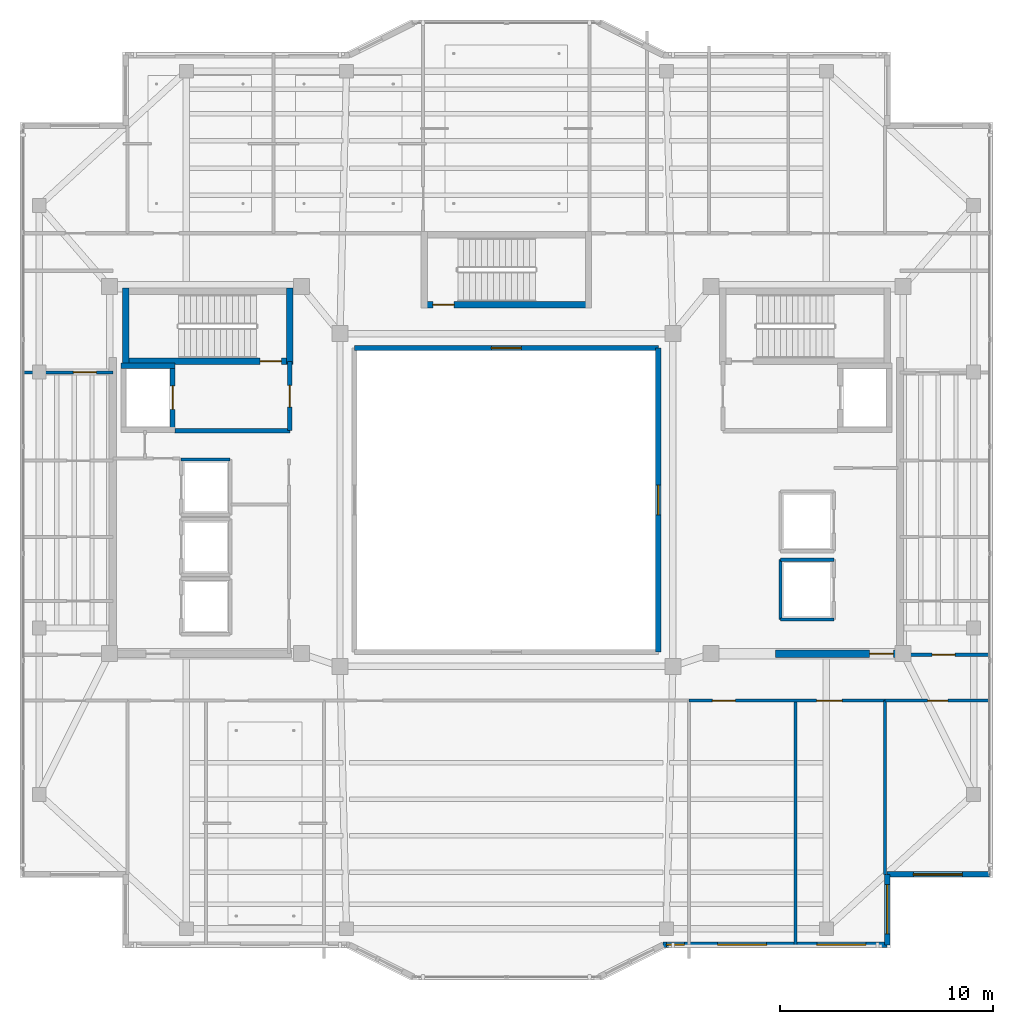
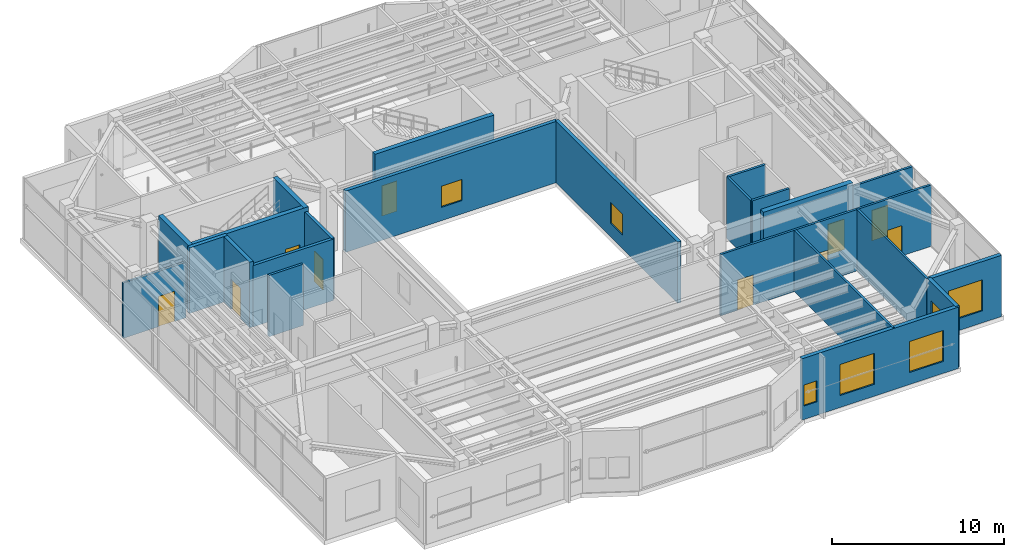
# One storey, part 15 of 25: 24 walls, 10 doors, 7 windows, 17 openings.
"""IFC4 building model written with IfcOpenShell, lengths in metres."""

from ifc_helpers import new_model, si_unit, direction, frame, frame_2d, origin, place, context, subcontext, project, spatial, rectangle, extrude, material, layer, layer_set, type_object, element, fill, save


model = new_model("IFC4")

# Units and contexts
model_context = context("Model", 3, precision=1e-05, world=origin(), true_north=direction((0.0, 1.0)))
body_context = subcontext(model_context, "Body", "Model", "MODEL_VIEW")
ifc_project = project(units=[si_unit("LENGTHUNIT", "METRE"), si_unit("AREAUNIT", "SQUARE_METRE"), si_unit("VOLUMEUNIT", "CUBIC_METRE"), si_unit("PLANEANGLEUNIT", "RADIAN"), si_unit("MASSUNIT", "GRAM", prefix="KILO")], contexts=[model_context])

# Site, building, storey
site_placement = place(None, origin())
site = spatial("IfcSite", under=ifc_project, at=site_placement, CompositionType="ELEMENT")
building_placement = place(site_placement, origin())
building = spatial("IfcBuilding", under=site, at=building_placement, Name="Tarnavaz Court Tower", CompositionType="ELEMENT")
storey_placement = place(building_placement, frame((0.0, 0.0, 271.64990234375)))
storey = spatial("IfcBuildingStorey", under=building, at=storey_placement, Name="L74", CompositionType="ELEMENT", Elevation=271.64990234375)

# Wall, opening, door
ifc_material_1 = material(Name="Concrete C50/60", Category="concrete")
ifc_layer_1 = layer(ifc_material_1, 0.25)
ifc_layer_set_1 = layer_set([ifc_layer_1], Name="Concrete C50/60")
wall_type_1 = type_object("IfcWallType", Name="WL-CORE-250-C50", PredefinedType="SHEAR", material=ifc_layer_set_1)
wall_1_placement = place(storey_placement, frame((-15.64990234375, 3.175048828125, 0.0), z_axis=(0.0, 0.0, 1.0), x_axis=(0.0, 1.0, 0.0)))
wall_1 = element("IfcWall", 1, at=wall_1_placement, inside=storey, type_object=wall_type_1, Name="L74 Lift FL-W1 Shaft Wall 018", PredefinedType="SHEAR", context=body_context, shape_type="SweptSolid", body=[
    extrude(rectangle(XDim=3.25, YDim=0.25, at=frame_2d((1.625, 0.0))), origin(), (0.0, 0.0, 1.0), 4.650146484375),
])
opening_1_placement = place(wall_1_placement, frame((1.074951171875, 0.0, 0.0)))
opening_1 = element("IfcOpeningElement", 2, at=opening_1_placement, cuts=wall_1, Name="Opening LD1", PredefinedType="OPENING", context=body_context, shape_type="SweptSolid", body=[
    extrude(rectangle(XDim=1.10009765625, YDim=2.14990234375, at=frame_2d((0.550048828125, 1.074951171875))), frame((0.0, 0.135009765625, 0.0), z_axis=(0.0, -1.0, 0.0), x_axis=(1.0, 0.0, 0.0)), (0.0, 0.0, 1.0), 0.27001953125),
])
ifc_material_2 = material(Name="Stainless Steel", Category="steel")
door_type_1 = type_object("IfcDoorType", Name="DR-LD-1100", OperationType="NOTDEFINED", PredefinedType="DOOR", material=ifc_material_2)
door_1_placement = place(opening_1_placement, origin())
door_1 = element("IfcDoor", 3, at=door_1_placement, inside=storey, type_object=door_type_1, Name="L74 Lift Landing Door LD-FL-W1", OperationType="SLIDING_TO_LEFT", OverallHeight=2.14990234375, OverallWidth=1.10009765625, PredefinedType="DOOR", context=body_context, shape_type="SweptSolid", body=[
    extrude(rectangle(XDim=1.10009765625, YDim=2.14990234375, at=frame_2d((0.550048828125, 1.074951171875))), frame((0.0, 0.02490234375, 0.0), z_axis=(0.0, -1.0, 0.0), x_axis=(1.0, 0.0, 0.0)), (0.0, 0.0, 1.0), 0.050048828125),
])
fill(opening_1, door_1)

# Wall
wall_2_placement = place(storey_placement, frame((-18.074951171875, 6.300048828125, 0.0), z_axis=(0.0, 0.0, 1.0), x_axis=(1.0, 0.0, 0.0)))
element("IfcWall", 4, at=wall_2_placement, inside=storey, type_object=wall_type_1, Name="L74 Lift FL-W1 Shaft Wall 020", PredefinedType="SHEAR", context=body_context, shape_type="SweptSolid", body=[
    extrude(rectangle(XDim=2.550048828125, YDim=0.25, at=frame_2d((1.27490234375, 0.0))), origin(), (0.0, 0.0, 1.0), 4.650146484375),
])

# Wall, opening, door
ifc_layer_2 = layer(ifc_material_1, 0.300048828125)
ifc_layer_set_2 = layer_set([ifc_layer_2], Name="Concrete C50/60")
wall_type_2 = type_object("IfcWallType", Name="WL-CORE-300-C50", PredefinedType="SHEAR", material=ifc_layer_set_2)
wall_3_placement = place(storey_placement, frame((-18.0, 6.5, 0.0), z_axis=(0.0, 0.0, 1.0), x_axis=(1.0, 0.0, 0.0)))
wall_3 = element("IfcWall", 5, at=wall_3_placement, inside=storey, type_object=wall_type_2, Name="L74 West Stair Core Wall 002", PredefinedType="SHEAR", context=body_context, shape_type="SweptSolid", body=[
    extrude(rectangle(XDim=8.0, YDim=0.300048828125, at=frame_2d((4.0, 0.0))), origin(), (0.0, 0.0, 1.0), 4.650146484375),
])
opening_2_placement = place(wall_3_placement, frame((6.449951171875, 0.0, 0.0)))
opening_2 = element("IfcOpeningElement", 6, at=opening_2_placement, cuts=wall_3, Name="Opening D01", PredefinedType="OPENING", context=body_context, shape_type="SweptSolid", body=[
    extrude(rectangle(XDim=1.0, YDim=2.14990234375, at=frame_2d((0.5, 1.074951171875))), frame((0.0, 0.159912109375, 0.0), z_axis=(0.0, -1.0, 0.0), x_axis=(1.0, 0.0, 0.0)), (0.0, 0.0, 1.0), 0.320068359375),
])
ifc_material_3 = material(Name="Fire-Rated Hardwood Timber Core", Category="wood")
door_type_2 = type_object("IfcDoorType", Name="DR-FD90-1000", OperationType="NOTDEFINED", PredefinedType="DOOR", material=ifc_material_3)
door_2_placement = place(opening_2_placement, origin())
door_2 = element("IfcDoor", 7, at=door_2_placement, inside=storey, type_object=door_type_2, Name="L74 Stair ST-W1 Exit Door", OperationType="SINGLE_SWING_LEFT", OverallHeight=2.14990234375, OverallWidth=1.0, PredefinedType="DOOR", context=body_context, shape_type="SweptSolid", body=[
    extrude(rectangle(XDim=1.0, YDim=2.14990234375, at=frame_2d((0.5, 1.074951171875))), frame((0.0, 0.02490234375, 0.0), z_axis=(0.0, -1.0, 0.0), x_axis=(1.0, 0.0, 0.0)), (0.0, 0.0, 1.0), 0.050048828125),
])
fill(opening_2, door_2)

# Walls
for number, where, z_axis, x_axis, name in (
    (8, (-17.85009765625, 6.35009765625, 0.0), (0.0, 0.0, 1.0), (0.0, 1.0, 0.0), "L74 West Stair Core Wall 003"),
    (9, (-10.14990234375, 6.35009765625, 0.0), (0.0, 0.0, 1.0), (0.0, 1.0, 0.0), "L74 West Stair Core Wall 004"),
):
    element("IfcWall", number, at=place(storey_placement, frame(where, z_axis=z_axis, x_axis=x_axis)), inside=storey, type_object=wall_type_2, Name=name, PredefinedType="SHEAR", context=body_context, shape_type="SweptSolid", body=[
        extrude(rectangle(XDim=3.58984375, YDim=0.300048828125, at=frame_2d((1.794921875, 0.0))), origin(), (0.0, 0.0, 1.0), 4.650146484375),
    ])

# Wall, opening, door
wall_4_placement = place(storey_placement, frame((-4.0, 9.14990234375, 0.0), z_axis=(0.0, 0.0, 1.0), x_axis=(1.0, 0.0, 0.0)))
wall_4 = element("IfcWall", 10, at=wall_4_placement, inside=storey, type_object=wall_type_2, Name="L74 North Stair Core Wall 010", PredefinedType="SHEAR", context=body_context, shape_type="SweptSolid", body=[
    extrude(rectangle(XDim=8.0, YDim=0.300048828125, at=frame_2d((4.0, 0.0))), origin(), (0.0, 0.0, 1.0), 4.650146484375),
])
opening_3_placement = place(wall_4_placement, frame((0.550048828125, 0.0, 0.0)))
opening_3 = element("IfcOpeningElement", 11, at=opening_3_placement, cuts=wall_4, Name="Opening D01", PredefinedType="OPENING", context=body_context, shape_type="SweptSolid", body=[
    extrude(rectangle(XDim=1.0, YDim=2.14990234375, at=frame_2d((0.5, 1.074951171875))), frame((0.0, 0.159912109375, 0.0), z_axis=(0.0, -1.0, 0.0), x_axis=(1.0, 0.0, 0.0)), (0.0, 0.0, 1.0), 0.320068359375),
])
door_3_placement = place(opening_3_placement, origin())
door_3 = element("IfcDoor", 12, at=door_3_placement, inside=storey, type_object=door_type_2, Name="L74 Stair ST-N1 Exit Door", OperationType="SINGLE_SWING_LEFT", OverallHeight=2.14990234375, OverallWidth=1.0, PredefinedType="DOOR", context=body_context, shape_type="SweptSolid", body=[
    extrude(rectangle(XDim=1.0, YDim=2.14990234375, at=frame_2d((0.5, 1.074951171875))), frame((0.0, 0.02490234375, 0.0), z_axis=(0.0, -1.0, 0.0), x_axis=(1.0, 0.0, 0.0)), (0.0, 0.0, 1.0), 0.050048828125),
])
fill(opening_3, door_3)

ifc_layer_3 = layer(ifc_material_1, 0.35009765625)
ifc_layer_set_3 = layer_set([ifc_layer_3], Name="Concrete C50/60")
wall_type_3 = type_object("IfcWallType", Name="WL-CORE-350-C50", PredefinedType="SHEAR", material=ifc_layer_set_3)
wall_5_placement = place(storey_placement, frame((12.625, -7.199951171875, 0.0), z_axis=(0.0, 0.0, 1.0), x_axis=(1.0, 0.0, 0.0)))
wall_5 = element("IfcWall", 13, at=wall_5_placement, inside=storey, type_object=wall_type_3, Name="L74 East Core South Shear Wall 048", PredefinedType="SHEAR", context=body_context, shape_type="SweptSolid", body=[
    extrude(rectangle(XDim=6.0, YDim=0.35009765625, at=frame_2d((3.0, 0.0))), origin(), (0.0, 0.0, 1.0), 4.650146484375),
])
opening_4_placement = place(wall_5_placement, frame((4.39990234375, 0.0, 0.0)))
opening_4 = element("IfcOpeningElement", 14, at=opening_4_placement, cuts=wall_5, Name="Opening D04", PredefinedType="OPENING", context=body_context, shape_type="SweptSolid", body=[
    extrude(rectangle(XDim=1.1201171875, YDim=2.14990234375, at=frame_2d((0.56005859375, 1.074951171875))), frame((0.0, 0.18505859375, 0.0), z_axis=(0.0, -1.0, 0.0), x_axis=(1.0, 0.0, 0.0)), (0.0, 0.0, 1.0), 0.3701171875),
])
door_type_3 = type_object("IfcDoorType", Name="DR-FD60-1100", OperationType="NOTDEFINED", PredefinedType="DOOR", material=ifc_material_3)
door_4_placement = place(opening_4_placement, origin())
door_4 = element("IfcDoor", 15, at=door_4_placement, inside=storey, type_object=door_type_3, Name="L74 East Express Lift Lobby Door", OperationType="SINGLE_SWING_RIGHT", OverallHeight=2.14990234375, OverallWidth=1.1201171875, PredefinedType="DOOR", context=body_context, shape_type="SweptSolid", body=[
    extrude(rectangle(XDim=1.1201171875, YDim=2.14990234375, at=frame_2d((0.56005859375, 1.074951171875))), frame((0.0, 0.02490234375, 0.0), z_axis=(0.0, -1.0, 0.0), x_axis=(1.0, 0.0, 0.0)), (0.0, 0.0, 1.0), 0.050048828125),
])
fill(opening_4, door_4)

# Wall, opening, window
ifc_material_4 = material(Name="Precast Concrete C40/50", Category="concrete")
ifc_layer_4 = layer(ifc_material_4, 0.260009765625)
ifc_layer_set_4 = layer_set([ifc_layer_4], Name="Precast Concrete C40/50")
wall_type_4 = type_object("IfcWallType", Name="WL-EXT-260", PredefinedType="SOLIDWALL", material=ifc_layer_set_4)
wall_6_placement = place(storey_placement, frame((22.64990234375, -17.550048828125, 0.0), z_axis=(0.0, 0.0, 1.0), x_axis=(-1.0, 0.0, 0.0)))
wall_6 = element("IfcWall", 16, at=wall_6_placement, inside=storey, type_object=wall_type_4, Name="L74 Exterior Terracotta Facade Wall 13", PredefinedType="SOLIDWALL", context=body_context, shape_type="SweptSolid", body=[
    extrude(rectangle(XDim=4.7998046875, YDim=0.260009765625, at=frame_2d((2.39990234375, 0.0))), origin(), (0.0, 0.0, 1.0), 4.35009765625),
])
opening_5_placement = place(wall_6_placement, frame((1.275390625, 0.0, 0.85009765625)))
opening_5 = element("IfcOpeningElement", 17, at=opening_5_placement, cuts=wall_6, Name="Opening W12", PredefinedType="OPENING", context=body_context, shape_type="SweptSolid", body=[
    extrude(rectangle(XDim=2.300048828125, YDim=2.199951171875, at=frame_2d((1.14990234375, 1.10009765625))), frame((0.0, 0.139892578125, 0.0), z_axis=(0.0, -1.0, 0.0), x_axis=(1.0, 0.0, 0.0)), (0.0, 0.0, 1.0), 0.280029296875),
])
ifc_material_5 = material(Name="Double-Glazed Solar Low-E Glass", Category="glass")
window_type_1 = type_object("IfcWindowType", Name="WN-COM-2300", PartitioningType="DOUBLE_PANEL_VERTICAL", PredefinedType="WINDOW", material=ifc_material_5)
window_1_placement = place(opening_5_placement, origin())
window_1 = element("IfcWindow", 18, at=window_1_placement, inside=storey, type_object=window_type_1, Name="L74 L74 SE Terrace Salon Window", OverallHeight=2.199951171875, OverallWidth=2.300048828125, PartitioningType="SINGLE_PANEL", PredefinedType="WINDOW", context=body_context, shape_type="SweptSolid", body=[
    extrude(rectangle(XDim=2.300048828125, YDim=2.199951171875, at=frame_2d((1.14990234375, 1.10009765625))), frame((0.0, 0.030029296875, 0.0), z_axis=(0.0, -1.0, 0.0), x_axis=(1.0, 0.0, 0.0)), (0.0, 0.0, 1.0), 0.06005859375),
])
fill(opening_5, window_1)

wall_7_placement = place(storey_placement, frame((17.85009765625, -17.550048828125, 0.0), z_axis=(0.0, 0.0, 1.0), x_axis=(0.0, -1.0, 0.0)))
wall_7 = element("IfcWall", 19, at=wall_7_placement, inside=storey, type_object=wall_type_4, Name="L74 Exterior Terracotta Facade Wall 14", PredefinedType="SOLIDWALL", context=body_context, shape_type="SweptSolid", body=[
    extrude(rectangle(XDim=3.300048828125, YDim=0.260009765625, at=frame_2d((1.64990234375, 0.0))), origin(), (0.0, 0.0, 1.0), 4.35009765625),
])
opening_6_placement = place(wall_7_placement, frame((0.482421875, 0.0, 0.85009765625)))
opening_6 = element("IfcOpeningElement", 20, at=opening_6_placement, cuts=wall_7, Name="Opening W12", PredefinedType="OPENING", context=body_context, shape_type="SweptSolid", body=[
    extrude(rectangle(XDim=2.300048828125, YDim=2.199951171875, at=frame_2d((1.14990234375, 1.10009765625))), frame((0.0, 0.139892578125, 0.0), z_axis=(0.0, -1.0, 0.0), x_axis=(1.0, 0.0, 0.0)), (0.0, 0.0, 1.0), 0.280029296875),
])
window_2_placement = place(opening_6_placement, origin())
window_2 = element("IfcWindow", 21, at=window_2_placement, inside=storey, type_object=window_type_1, Name="L74 Observation Bookshop and Retail Window", OverallHeight=2.199951171875, OverallWidth=2.300048828125, PartitioningType="SINGLE_PANEL", PredefinedType="WINDOW", context=body_context, shape_type="SweptSolid", body=[
    extrude(rectangle(XDim=2.300048828125, YDim=2.199951171875, at=frame_2d((1.14990234375, 1.10009765625))), frame((0.0, 0.030029296875, 0.0), z_axis=(0.0, -1.0, 0.0), x_axis=(1.0, 0.0, 0.0)), (0.0, 0.0, 1.0), 0.06005859375),
])
fill(opening_6, window_2)

# Wall, openings, windows
wall_8_placement = place(storey_placement, frame((17.85009765625, -20.85009765625, 0.0), z_axis=(0.0, 0.0, 1.0), x_axis=(-1.0, 0.0, 0.0)))
wall_8 = element("IfcWall", 22, at=wall_8_placement, inside=storey, type_object=wall_type_4, Name="L74 Exterior Terracotta Facade Wall 15", PredefinedType="SOLIDWALL", context=body_context, shape_type="SweptSolid", body=[
    extrude(rectangle(XDim=10.5, YDim=0.260009765625, at=frame_2d((5.25, 0.0))), origin(), (0.0, 0.0, 1.0), 4.35009765625),
])
opening_7_placement = place(wall_8_placement, frame((1.0, 0.0, 0.85009765625)))
opening_7 = element("IfcOpeningElement", 23, at=opening_7_placement, cuts=wall_8, Name="Opening W12", PredefinedType="OPENING", context=body_context, shape_type="SweptSolid", body=[
    extrude(rectangle(XDim=2.300048828125, YDim=2.199951171875, at=frame_2d((1.14990234375, 1.10009765625))), frame((0.0, 0.139892578125, 0.0), z_axis=(0.0, -1.0, 0.0), x_axis=(1.0, 0.0, 0.0)), (0.0, 0.0, 1.0), 0.280029296875),
])
opening_8_placement = place(wall_8_placement, frame((5.64990234375, 0.0, 0.85009765625)))
opening_8 = element("IfcOpeningElement", 24, at=opening_8_placement, cuts=wall_8, Name="Opening W12", PredefinedType="OPENING", context=body_context, shape_type="SweptSolid", body=[
    extrude(rectangle(XDim=2.300048828125, YDim=2.199951171875, at=frame_2d((1.14990234375, 1.10009765625))), frame((0.0, 0.139892578125, 0.0), z_axis=(0.0, -1.0, 0.0), x_axis=(1.0, 0.0, 0.0)), (0.0, 0.0, 1.0), 0.280029296875),
])
opening_9_placement = place(wall_8_placement, frame((9.5048828125, 0.0, 0.949951171875)))
opening_9 = element("IfcOpeningElement", 25, at=opening_9_placement, cuts=wall_8, Name="Opening W15", PredefinedType="OPENING", context=body_context, shape_type="SweptSolid", body=[
    extrude(rectangle(XDim=0.85009765625, YDim=1.5, at=frame_2d((0.425048828125, 0.75))), frame((0.0, 0.139892578125, 0.0), z_axis=(0.0, -1.0, 0.0), x_axis=(1.0, 0.0, 0.0)), (0.0, 0.0, 1.0), 0.280029296875),
])
window_type_2 = type_object("IfcWindowType", Name="WN-APT-850", PartitioningType="SINGLE_PANEL", PredefinedType="WINDOW", material=ifc_material_5)
window_3_placement = place(opening_9_placement, origin())
window_3 = element("IfcWindow", 26, at=window_3_placement, inside=storey, type_object=window_type_2, Name="L74 L74 Central Iwan Cultural Exhibition Hall Window", OverallHeight=1.5, OverallWidth=0.85009765625, PartitioningType="SINGLE_PANEL", PredefinedType="WINDOW", context=body_context, shape_type="SweptSolid", body=[
    extrude(rectangle(XDim=0.85009765625, YDim=1.5, at=frame_2d((0.425048828125, 0.75))), frame((0.0, 0.030029296875, 0.0), z_axis=(0.0, -1.0, 0.0), x_axis=(1.0, 0.0, 0.0)), (0.0, 0.0, 1.0), 0.06005859375),
])
fill(opening_9, window_3)
window_4_placement = place(opening_7_placement, origin())
window_4 = element("IfcWindow", 27, at=window_4_placement, inside=storey, type_object=window_type_1, Name="L74 Observation Bookshop and Retail Window", OverallHeight=2.199951171875, OverallWidth=2.300048828125, PartitioningType="SINGLE_PANEL", PredefinedType="WINDOW", context=body_context, shape_type="SweptSolid", body=[
    extrude(rectangle(XDim=2.300048828125, YDim=2.199951171875, at=frame_2d((1.14990234375, 1.10009765625))), frame((0.0, 0.030029296875, 0.0), z_axis=(0.0, -1.0, 0.0), x_axis=(1.0, 0.0, 0.0)), (0.0, 0.0, 1.0), 0.06005859375),
])
fill(opening_7, window_4)
window_5_placement = place(opening_8_placement, origin())
window_5 = element("IfcWindow", 28, at=window_5_placement, inside=storey, type_object=window_type_1, Name="L74 L74 Residents Counseling Office Window", OverallHeight=2.199951171875, OverallWidth=2.300048828125, PartitioningType="SINGLE_PANEL", PredefinedType="WINDOW", context=body_context, shape_type="SweptSolid", body=[
    extrude(rectangle(XDim=2.300048828125, YDim=2.199951171875, at=frame_2d((1.14990234375, 1.10009765625))), frame((0.0, 0.030029296875, 0.0), z_axis=(0.0, -1.0, 0.0), x_axis=(1.0, 0.0, 0.0)), (0.0, 0.0, 1.0), 0.06005859375),
])
fill(opening_8, window_5)

# Wall, openings, doors
ifc_material_6 = material(Name="Gypsum Fire-Board on Acoustic Metal Stud", Category="masonry")
ifc_layer_5 = layer(ifc_material_6, 0.14990234375)
ifc_layer_set_5 = layer_set([ifc_layer_5], Name="Gypsum Fire-Board on Acoustic Metal Stud")
wall_type_5 = type_object("IfcWallType", Name="WL-FIRE-150", PredefinedType="PARTITIONING", material=ifc_layer_set_5)
wall_9_placement = place(storey_placement, frame((8.550048828125, -9.39990234375, 0.0), z_axis=(0.0, 0.0, 1.0), x_axis=(1.0, 0.0, 0.0)))
wall_9 = element("IfcWall", 29, at=wall_9_placement, inside=storey, type_object=wall_type_5, Name="L74 SE Lobby Wall 057", PredefinedType="PARTITIONING", context=body_context, shape_type="SweptSolid", body=[
    extrude(rectangle(XDim=9.199951171875, YDim=0.14990234375, at=frame_2d((4.60009765625, 0.0))), origin(), (0.0, 0.0, 1.0), 4.35009765625),
])
opening_10_placement = place(wall_9_placement, frame((1.10009765625, 0.0, 0.0)))
opening_10 = element("IfcOpeningElement", 30, at=opening_10_placement, cuts=wall_9, Name="Opening D12", PredefinedType="OPENING", context=body_context, shape_type="SweptSolid", body=[
    extrude(rectangle(XDim=1.080078125, YDim=2.14990234375, at=frame_2d((0.5400390625, 1.074951171875))), frame((0.0, 0.0849609375, 0.0), z_axis=(0.0, -1.0, 0.0), x_axis=(1.0, 0.0, 0.0)), (0.0, 0.0, 1.0), 0.169921875),
])
opening_11_placement = place(wall_9_placement, frame((5.990966796875, 0.0, 0.0)))
opening_11 = element("IfcOpeningElement", 31, at=opening_11_placement, cuts=wall_9, Name="Opening D11", PredefinedType="OPENING", context=body_context, shape_type="SweptSolid", body=[
    extrude(rectangle(XDim=1.199951171875, YDim=2.14990234375, at=frame_2d((0.60009765625, 1.074951171875))), frame((0.0, 0.0849609375, 0.0), z_axis=(0.0, -1.0, 0.0), x_axis=(1.0, 0.0, 0.0)), (0.0, 0.0, 1.0), 0.169921875),
])
ifc_material_7 = material(Name="Engineered Oak Timber", Category="wood")
door_type_4 = type_object("IfcDoorType", Name="DR-INT-1100", OperationType="NOTDEFINED", PredefinedType="DOOR", material=ifc_material_7)
door_5_placement = place(opening_10_placement, origin())
door_5 = element("IfcDoor", 32, at=door_5_placement, inside=storey, type_object=door_type_4, Name="L74 Counseling Office Door", OperationType="SINGLE_SWING_RIGHT", OverallHeight=2.14990234375, OverallWidth=1.080078125, PredefinedType="DOOR", context=body_context, shape_type="SweptSolid", body=[
    extrude(rectangle(XDim=1.080078125, YDim=2.14990234375, at=frame_2d((0.5400390625, 1.074951171875))), frame((0.0, 0.02490234375, 0.0), z_axis=(0.0, -1.0, 0.0), x_axis=(1.0, 0.0, 0.0)), (0.0, 0.0, 1.0), 0.050048828125),
])
fill(opening_10, door_5)
door_type_5 = type_object("IfcDoorType", Name="DR-INT-1200", OperationType="NOTDEFINED", PredefinedType="DOOR", material=ifc_material_7)
door_6_placement = place(opening_11_placement, origin())
door_6 = element("IfcDoor", 33, at=door_6_placement, inside=storey, type_object=door_type_5, Name="L74 Observation Bookshop and Retail Door", OperationType="SINGLE_SWING_LEFT", OverallHeight=2.14990234375, OverallWidth=1.199951171875, PredefinedType="DOOR", context=body_context, shape_type="SweptSolid", body=[
    extrude(rectangle(XDim=1.199951171875, YDim=2.14990234375, at=frame_2d((0.60009765625, 1.074951171875))), frame((0.0, 0.02490234375, 0.0), z_axis=(0.0, -1.0, 0.0), x_axis=(1.0, 0.0, 0.0)), (0.0, 0.0, 1.0), 0.050048828125),
])
fill(opening_11, door_6)

# Wall, opening, door
wall_10_placement = place(storey_placement, frame((18.449951171875, -7.25, 0.0), z_axis=(0.0, 0.0, 1.0), x_axis=(1.0, 0.0, 0.0)))
wall_10 = element("IfcWall", 34, at=wall_10_placement, inside=storey, type_object=wall_type_5, Name="L74 Interior Partition 070", PredefinedType="PARTITIONING", context=body_context, shape_type="SweptSolid", body=[
    extrude(rectangle(XDim=4.22998046875, YDim=0.14990234375, at=frame_2d((2.114990234375, 0.0))), origin(), (0.0, 0.0, 1.0), 4.35009765625),
])
opening_12_placement = place(wall_10_placement, frame((1.5, 0.0, 0.0)))
opening_12 = element("IfcOpeningElement", 35, at=opening_12_placement, cuts=wall_10, Name="Opening D12", PredefinedType="OPENING", context=body_context, shape_type="SweptSolid", body=[
    extrude(rectangle(XDim=1.080078125, YDim=2.14990234375, at=frame_2d((0.5400390625, 1.074951171875))), frame((0.0, 0.0849609375, 0.0), z_axis=(0.0, -1.0, 0.0), x_axis=(1.0, 0.0, 0.0)), (0.0, 0.0, 1.0), 0.169921875),
])
door_7_placement = place(opening_12_placement, origin())
door_7 = element("IfcDoor", 36, at=door_7_placement, inside=storey, type_object=door_type_4, Name="L74 East Suite Room 1 Door", OperationType="SINGLE_SWING_LEFT", OverallHeight=2.14990234375, OverallWidth=1.080078125, PredefinedType="DOOR", context=body_context, shape_type="SweptSolid", body=[
    extrude(rectangle(XDim=1.080078125, YDim=2.14990234375, at=frame_2d((0.5400390625, 1.074951171875))), frame((0.0, 0.02490234375, 0.0), z_axis=(0.0, -1.0, 0.0), x_axis=(1.0, 0.0, 0.0)), (0.0, 0.0, 1.0), 0.050048828125),
])
fill(opening_12, door_7)

wall_11_placement = place(storey_placement, frame((17.75, -9.39990234375, 0.0), z_axis=(0.0, 0.0, 1.0), x_axis=(1.0, 0.0, 0.0)))
wall_11 = element("IfcWall", 37, at=wall_11_placement, inside=storey, type_object=wall_type_5, Name="L74 Interior Partition 080", PredefinedType="PARTITIONING", context=body_context, shape_type="SweptSolid", body=[
    extrude(rectangle(XDim=4.929931640625, YDim=0.14990234375, at=frame_2d((2.46484375, 0.0))), origin(), (0.0, 0.0, 1.0), 4.35009765625),
])
opening_13_placement = place(wall_11_placement, frame((1.989990234375, 0.0, 0.0)))
opening_13 = element("IfcOpeningElement", 38, at=opening_13_placement, cuts=wall_11, Name="Opening D13", PredefinedType="OPENING", context=body_context, shape_type="SweptSolid", body=[
    extrude(rectangle(XDim=0.949951171875, YDim=2.14990234375, at=frame_2d((0.47509765625, 1.074951171875))), frame((0.0, 0.0849609375, 0.0), z_axis=(0.0, -1.0, 0.0), x_axis=(1.0, 0.0, 0.0)), (0.0, 0.0, 1.0), 0.169921875),
])
door_type_6 = type_object("IfcDoorType", Name="DR-INT-950", OperationType="NOTDEFINED", PredefinedType="DOOR", material=ifc_material_7)
door_8_placement = place(opening_13_placement, origin())
door_8 = element("IfcDoor", 39, at=door_8_placement, inside=storey, type_object=door_type_6, Name="L74 SE Terrace Salon Door", OperationType="SINGLE_SWING_LEFT", OverallHeight=2.14990234375, OverallWidth=0.949951171875, PredefinedType="DOOR", context=body_context, shape_type="SweptSolid", body=[
    extrude(rectangle(XDim=0.949951171875, YDim=2.14990234375, at=frame_2d((0.47509765625, 1.074951171875))), frame((0.0, 0.02490234375, 0.0), z_axis=(0.0, -1.0, 0.0), x_axis=(1.0, 0.0, 0.0)), (0.0, 0.0, 1.0), 0.050048828125),
])
fill(opening_13, door_8)

# Wall
ifc_material_8 = material(Name="Autoclaved Aerated Concrete Blockwork", Category="masonry")
ifc_layer_6 = layer(ifc_material_8, 0.199951171875)
ifc_layer_set_6 = layer_set([ifc_layer_6], Name="Autoclaved Aerated Concrete Blockwork")
wall_type_6 = type_object("IfcWallType", Name="WL-FIRE-200", PredefinedType="SOLIDWALL", material=ifc_layer_set_6)
wall_12_placement = place(storey_placement, frame((-15.550048828125, 3.25, 0.0), z_axis=(0.0, 0.0, 1.0), x_axis=(1.0, 0.0, 0.0)))
element("IfcWall", 40, at=wall_12_placement, inside=storey, type_object=wall_type_6, Name="L74 West Firefighting Lobby Wall 013", PredefinedType="SOLIDWALL", context=body_context, shape_type="SweptSolid", body=[
    extrude(rectangle(XDim=5.400146484375, YDim=0.199951171875, at=frame_2d((2.7001953125, 0.0))), origin(), (0.0, 0.0, 1.0), 4.35009765625),
])

# Wall, opening, door
wall_13_placement = place(storey_placement, frame((-10.14990234375, 3.25, 0.0), z_axis=(0.0, 0.0, 1.0), x_axis=(0.0, 1.0, 0.0)))
wall_13 = element("IfcWall", 41, at=wall_13_placement, inside=storey, type_object=wall_type_6, Name="L74 West Firefighting Lobby Wall 014", PredefinedType="SOLIDWALL", context=body_context, shape_type="SweptSolid", body=[
    extrude(rectangle(XDim=3.25, YDim=0.199951171875, at=frame_2d((1.625, 0.0))), origin(), (0.0, 0.0, 1.0), 4.35009765625),
])
opening_14_placement = place(wall_13_placement, frame((1.10009765625, 0.0, 0.0)))
opening_14 = element("IfcOpeningElement", 42, at=opening_14_placement, cuts=wall_13, Name="Opening D05", PredefinedType="OPENING", context=body_context, shape_type="SweptSolid", body=[
    extrude(rectangle(XDim=1.02001953125, YDim=2.14990234375, at=frame_2d((0.510009765625, 1.074951171875))), frame((0.0, 0.10986328125, 0.0), z_axis=(0.0, -1.0, 0.0), x_axis=(1.0, 0.0, 0.0)), (0.0, 0.0, 1.0), 0.219970703125),
])
door_type_7 = type_object("IfcDoorType", Name="DR-FD60-1000", OperationType="NOTDEFINED", PredefinedType="DOOR", material=ifc_material_3)
door_9_placement = place(opening_14_placement, origin())
door_9 = element("IfcDoor", 43, at=door_9_placement, inside=storey, type_object=door_type_7, Name="L74 West Firefighting Lobby Door", OperationType="SINGLE_SWING_RIGHT", OverallHeight=2.14990234375, OverallWidth=1.02001953125, PredefinedType="DOOR", context=body_context, shape_type="SweptSolid", body=[
    extrude(rectangle(XDim=1.02001953125, YDim=2.14990234375, at=frame_2d((0.510009765625, 1.074951171875))), frame((0.0, 0.02490234375, 0.0), z_axis=(0.0, -1.0, 0.0), x_axis=(1.0, 0.0, 0.0)), (0.0, 0.0, 1.0), 0.050048828125),
])
fill(opening_14, door_9)

# Walls
ifc_material_9 = material(Name="Gypsum Plasterboard Acoustic Partition", Category="masonry")
ifc_layer_7 = layer(ifc_material_9, 0.139892578125)
ifc_layer_set_7 = layer_set([ifc_layer_7], Name="Gypsum Plasterboard Acoustic Partition")
wall_type_7 = type_object("IfcWallType", Name="WL-PART-150", PredefinedType="PARTITIONING", material=ifc_layer_set_7)
wall_14_placement = place(storey_placement, frame((13.541015625, -20.89990234375, 0.0), z_axis=(0.0, 0.0, 1.0), x_axis=(0.0, 1.0, 0.0)))
element("IfcWall", 44, at=wall_14_placement, inside=storey, type_object=wall_type_7, Name="L74 Interior Partition 067", PredefinedType="PARTITIONING", context=body_context, shape_type="SweptSolid", body=[
    extrude(rectangle(XDim=11.5, YDim=0.139892578125, at=frame_2d((5.75, 0.0))), origin(), (0.0, 0.0, 1.0), 4.35009765625),
])
wall_15_placement = place(storey_placement, frame((17.75, -17.550048828125, 0.0), z_axis=(0.0, 0.0, 1.0), x_axis=(0.0, 1.0, 0.0)))
element("IfcWall", 45, at=wall_15_placement, inside=storey, type_object=wall_type_7, Name="L74 Interior Partition 074", PredefinedType="PARTITIONING", context=body_context, shape_type="SweptSolid", body=[
    extrude(rectangle(XDim=8.150146484375, YDim=0.139892578125, at=frame_2d((4.0751953125, 0.0))), origin(), (0.0, 0.0, 1.0), 4.35009765625),
])

# Wall, opening, door
wall_16_placement = place(storey_placement, frame((-22.679931640625, 5.98291015625, 0.0), z_axis=(0.0, 0.0, 1.0), x_axis=(1.0, 0.0, 0.0)))
wall_16 = element("IfcWall", 46, at=wall_16_placement, inside=storey, type_object=wall_type_7, Name="L74 Interior Partition 084", PredefinedType="PARTITIONING", context=body_context, shape_type="SweptSolid", body=[
    extrude(rectangle(XDim=4.22998046875, YDim=0.139892578125, at=frame_2d((2.114990234375, 0.0))), origin(), (0.0, 0.0, 1.0), 3.93505859375),
])
opening_15_placement = place(wall_16_placement, frame((2.3798828125, 0.0, 0.0)))
opening_15 = element("IfcOpeningElement", 47, at=opening_15_placement, cuts=wall_16, Name="Opening D12", PredefinedType="OPENING", context=body_context, shape_type="SweptSolid", body=[
    extrude(rectangle(XDim=1.080078125, YDim=2.14990234375, at=frame_2d((0.5400390625, 1.074951171875))), frame((0.0, 0.079833984375, 0.0), z_axis=(0.0, -1.0, 0.0), x_axis=(1.0, 0.0, 0.0)), (0.0, 0.0, 1.0), 0.159912109375),
])
door_10_placement = place(opening_15_placement, origin())
door_10 = element("IfcDoor", 48, at=door_10_placement, inside=storey, type_object=door_type_4, Name="L74 West Suite Room 5 Door", OperationType="SINGLE_SWING_RIGHT", OverallHeight=2.14990234375, OverallWidth=1.080078125, PredefinedType="DOOR", context=body_context, shape_type="SweptSolid", body=[
    extrude(rectangle(XDim=1.080078125, YDim=2.14990234375, at=frame_2d((0.5400390625, 1.074951171875))), frame((0.0, 0.02490234375, 0.0), z_axis=(0.0, -1.0, 0.0), x_axis=(1.0, 0.0, 0.0)), (0.0, 0.0, 1.0), 0.050048828125),
])
fill(opening_15, door_10)

# Walls
ifc_layer_8 = layer(ifc_material_8, 0.159912109375)
ifc_layer_set_8 = layer_set([ifc_layer_8], Name="Autoclaved Aerated Concrete Blockwork")
wall_type_8 = type_object("IfcWallType", Name="WL-SHAFT-150", PredefinedType="SOLIDWALL", material=ifc_layer_set_8)
wall_17_placement = place(storey_placement, frame((-15.25, 1.89990234375, 0.0), z_axis=(0.0, 0.0, 1.0), x_axis=(1.0, 0.0, 0.0)))
element("IfcWall", 49, at=wall_17_placement, inside=storey, type_object=wall_type_8, Name="L74 Lift PL-H3 Shaft Wall 032", PredefinedType="SOLIDWALL", context=body_context, shape_type="SweptSolid", body=[
    extrude(rectangle(XDim=2.300048828125, YDim=0.159912109375, at=frame_2d((1.14990234375, 0.0))), origin(), (0.0, 0.0, 1.0), 4.35009765625),
])
wall_18_placement = place(storey_placement, frame((12.85009765625, -5.60009765625, 0.0), z_axis=(0.0, 0.0, 1.0), x_axis=(0.0, 1.0, 0.0)))
element("IfcWall", 50, at=wall_18_placement, inside=storey, type_object=wall_type_8, Name="L74 Lift PL-OB1 Shaft Wall 037", PredefinedType="SOLIDWALL", context=body_context, shape_type="SweptSolid", body=[
    extrude(rectangle(XDim=2.800048828125, YDim=0.159912109375, at=frame_2d((1.39990234375, 0.0))), origin(), (0.0, 0.0, 1.0), 4.35009765625),
])
for number, where, z_axis, x_axis, name in (
    (51, (12.85009765625, -5.60009765625, 0.0), (0.0, 0.0, 1.0), (1.0, 0.0, 0.0), "L74 Lift PL-OB1 Shaft Wall 039"),
    (52, (12.85009765625, -2.800048828125, 0.0), (0.0, 0.0, 1.0), (1.0, 0.0, 0.0), "L74 Lift PL-OB1 Shaft Wall 040"),
):
    element("IfcWall", number, at=place(storey_placement, frame(where, z_axis=z_axis, x_axis=x_axis)), inside=storey, type_object=wall_type_8, Name=name, PredefinedType="SOLIDWALL", context=body_context, shape_type="SweptSolid", body=[
        extrude(rectangle(XDim=2.5, YDim=0.159912109375, at=frame_2d((1.25, 0.0))), origin(), (0.0, 0.0, 1.0), 4.35009765625),
    ])

# Wall, opening, window
ifc_layer_9 = layer(ifc_material_4, 0.239990234375)
ifc_layer_set_9 = layer_set([ifc_layer_9], Name="Precast Concrete C40/50")
wall_type_9 = type_object("IfcWallType", Name="WL-WELL-240", PredefinedType="SOLIDWALL", material=ifc_layer_set_9)
wall_19_placement = place(storey_placement, frame((7.1201171875, -7.1201171875, 0.0), z_axis=(0.0, 0.0, 1.0), x_axis=(0.0, 1.0, 0.0)))
wall_19 = element("IfcWall", 53, at=wall_19_placement, inside=storey, type_object=wall_type_9, Name="L74 Badgir Light-Well Exterior Wall E", PredefinedType="SOLIDWALL", context=body_context, shape_type="SweptSolid", body=[
    extrude(rectangle(XDim=14.240234375, YDim=0.239990234375, at=frame_2d((7.1201171875, 0.0))), origin(), (0.0, 0.0, 1.0), 4.35009765625),
])
opening_16_placement = place(wall_19_placement, frame((6.419921875, 0.0, 0.949951171875)))
opening_16 = element("IfcOpeningElement", 54, at=opening_16_placement, cuts=wall_19, Name="Opening W13", PredefinedType="OPENING", context=body_context, shape_type="SweptSolid", body=[
    extrude(rectangle(XDim=1.39990234375, YDim=1.5, at=frame_2d((0.699951171875, 0.75))), frame((0.0, 0.1298828125, 0.0), z_axis=(0.0, -1.0, 0.0), x_axis=(1.0, 0.0, 0.0)), (0.0, 0.0, 1.0), 0.260009765625),
])
window_type_3 = type_object("IfcWindowType", Name="WN-WEL-1400", PartitioningType="SINGLE_PANEL", PredefinedType="WINDOW", material=ifc_material_5)
window_6_placement = place(opening_16_placement, origin())
window_6 = element("IfcWindow", 55, at=window_6_placement, inside=storey, type_object=window_type_3, Name="L74 Courtyard Gallery Window E", OverallHeight=1.5, OverallWidth=1.39990234375, PartitioningType="SINGLE_PANEL", PredefinedType="WINDOW", context=body_context, shape_type="SweptSolid", body=[
    extrude(rectangle(XDim=1.39990234375, YDim=1.5, at=frame_2d((0.699951171875, 0.75))), frame((0.0, 0.030029296875, 0.0), z_axis=(0.0, -1.0, 0.0), x_axis=(1.0, 0.0, 0.0)), (0.0, 0.0, 1.0), 0.06005859375),
])
fill(opening_16, window_6)

wall_20_placement = place(storey_placement, frame((7.1201171875, 7.1201171875, 0.0), z_axis=(0.0, 0.0, 1.0), x_axis=(-1.0, 0.0, 0.0)))
wall_20 = element("IfcWall", 56, at=wall_20_placement, inside=storey, type_object=wall_type_9, Name="L74 Badgir Light-Well Exterior Wall N", PredefinedType="SOLIDWALL", context=body_context, shape_type="SweptSolid", body=[
    extrude(rectangle(XDim=14.240234375, YDim=0.239990234375, at=frame_2d((7.1201171875, 0.0))), origin(), (0.0, 0.0, 1.0), 4.35009765625),
])
opening_17_placement = place(wall_20_placement, frame((6.419921875, 0.0, 0.949951171875)))
opening_17 = element("IfcOpeningElement", 57, at=opening_17_placement, cuts=wall_20, Name="Opening W13", PredefinedType="OPENING", context=body_context, shape_type="SweptSolid", body=[
    extrude(rectangle(XDim=1.39990234375, YDim=1.5, at=frame_2d((0.699951171875, 0.75))), frame((0.0, 0.1298828125, 0.0), z_axis=(0.0, -1.0, 0.0), x_axis=(1.0, 0.0, 0.0)), (0.0, 0.0, 1.0), 0.260009765625),
])
window_7_placement = place(opening_17_placement, origin())
window_7 = element("IfcWindow", 58, at=window_7_placement, inside=storey, type_object=window_type_3, Name="L74 Courtyard Gallery Window N", OverallHeight=1.5, OverallWidth=1.39990234375, PartitioningType="SINGLE_PANEL", PredefinedType="WINDOW", context=body_context, shape_type="SweptSolid", body=[
    extrude(rectangle(XDim=1.39990234375, YDim=1.5, at=frame_2d((0.699951171875, 0.75))), frame((0.0, 0.030029296875, 0.0), z_axis=(0.0, -1.0, 0.0), x_axis=(1.0, 0.0, 0.0)), (0.0, 0.0, 1.0), 0.06005859375),
])
fill(opening_17, window_7)

save(model, "model.ifc")
